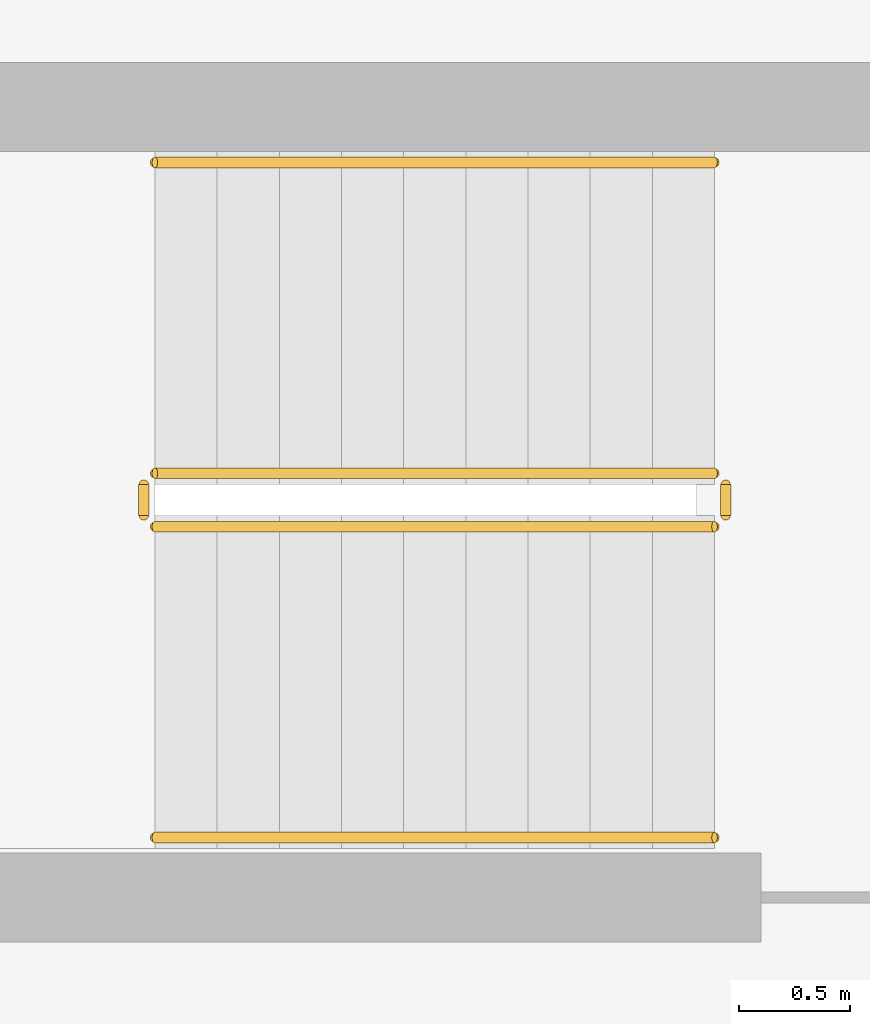
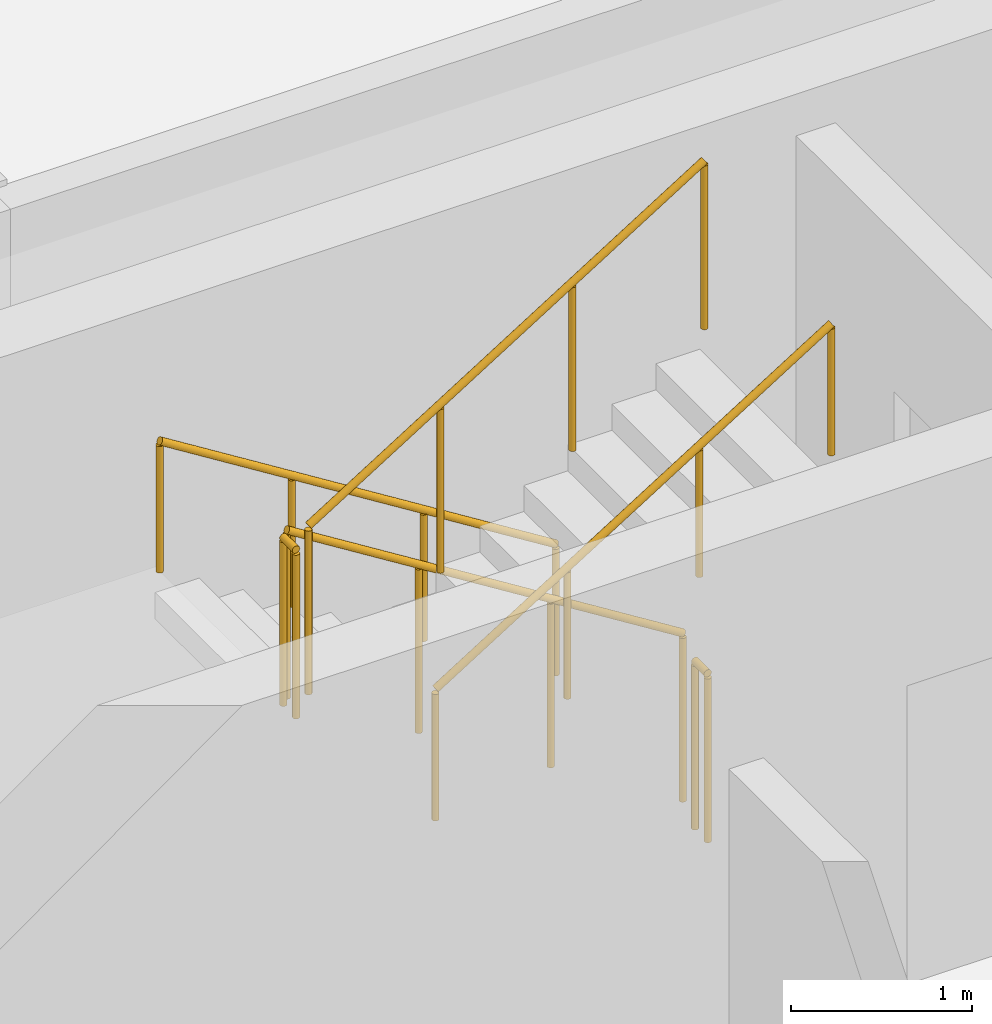
# One storey, part 13 of 14: 6 railings.
"""IFC4 building model written with IfcOpenShell, lengths in metres."""

import ifcopenshell
import ifcopenshell.guid

model = None  # the IFC model being written
_history = None  # IfcOwnerHistory: only IFC2X3 demands one
_inside = {}  # id of a spatial element -> (the spatial element, [elements in it])
_under = {}  # id of a project, library or spatial element -> (it, [spatial elements below it])
_declared = {}  # id of a project -> (the project, [libraries it declares])
_typed = {}  # id of a type object -> (the type object, [elements of that type])
_made_of = {}  # id of a material, layer set ... -> (it, [elements and type objects made of it])


def new_model(schema):
    """Start an empty IFC model of exactly this schema.

    Asked for "IFC4X3", IfcOpenShell would pick the latest addendum, in which some entities
    have other attributes; the version numbers below select the first issue.
    IFC2X3 requires an IfcOwnerHistory on every rooted entity: one is made here for all.
    """
    global model, _history
    if schema == "IFC4X3":
        model = ifcopenshell.file(schema_version=(4, 3, 0, 0))
    else:
        model = ifcopenshell.file(schema=schema)
    _inside.clear()
    _under.clear()
    _declared.clear()
    _typed.clear()
    _made_of.clear()
    _history = None
    if model.schema == "IFC2X3":
        org = make("IfcOrganization", Name="unknown")
        user = make(
            "IfcPersonAndOrganization",
            ThePerson=make("IfcPerson", FamilyName="unknown"),
            TheOrganization=org,
        )
        app = make(
            "IfcApplication",
            ApplicationDeveloper=org,
            Version="unknown",
            ApplicationFullName="unknown",
            ApplicationIdentifier="unknown",
        )
        _history = make(
            "IfcOwnerHistory",
            OwningUser=user,
            OwningApplication=app,
            ChangeAction="ADDED",
            CreationDate=0,
        )
    return model


def make(cls, **values):
    """One entity of the class cls with the attributes given. An attribute that is None is left unset."""
    return model.create_entity(
        cls, **{name: value for name, value in values.items() if value is not None}
    )


def rooted(cls, **values):
    """An entity with a GlobalId (a new one), such as an element, a storey or a relation."""
    return make(cls, GlobalId=ifcopenshell.guid.new(), OwnerHistory=_history, **values)


def si_unit(unit_type, name, prefix=None):
    """IfcSIUnit, for example si_unit("LENGTHUNIT", "METRE", prefix="MILLI")."""
    return make("IfcSIUnit", UnitType=unit_type, Prefix=prefix, Name=name)


def derived_unit(unit_type, elements):
    """IfcDerivedUnit: a product of units, each with its exponent."""
    return make(
        "IfcDerivedUnit",
        Elements=[
            make("IfcDerivedUnitElement", Unit=unit, Exponent=power)
            for unit, power in elements
        ],
        UnitType=unit_type,
    )


def assignment(units):
    """IfcUnitAssignment: the units of a project."""
    return None if units is None else make("IfcUnitAssignment", Units=units)


def point(xyz):
    """IfcCartesianPoint."""
    return None if xyz is None else make("IfcCartesianPoint", Coordinates=xyz)


def direction(xyz):
    """IfcDirection."""
    return None if xyz is None else make("IfcDirection", DirectionRatios=xyz)


def frame(location, z_axis=None, x_axis=None):
    """IfcAxis2Placement3D, a coordinate frame: its origin and axes. An axis left out is left unset."""
    return make(
        "IfcAxis2Placement3D",
        Location=point(location),
        Axis=direction(z_axis),
        RefDirection=direction(x_axis),
    )


def frame_2d(location, x_axis=None):
    """IfcAxis2Placement2D, a coordinate frame in the plane: its origin and x axis."""
    return make(
        "IfcAxis2Placement2D", Location=point(location), RefDirection=direction(x_axis)
    )


def origin():
    """The frame at (0, 0, 0) with its axes left unset."""
    return frame((0.0, 0.0, 0.0))


def origin_2d():
    """The frame at (0, 0) in the plane with its x axis left unset."""
    return frame_2d((0.0, 0.0))


def place(relative_to, where):
    """IfcLocalPlacement: puts the frame where relative to a parent placement (None: the world)."""
    return make(
        "IfcLocalPlacement", PlacementRelTo=relative_to, RelativePlacement=where
    )


def context(
    kind, dimensions, precision=None, world=None, true_north=None, identifier=None
):
    """IfcGeometricRepresentationContext, for example the 3D "Model" context."""
    return make(
        "IfcGeometricRepresentationContext",
        ContextIdentifier=identifier,
        ContextType=kind,
        CoordinateSpaceDimension=dimensions,
        Precision=precision,
        WorldCoordinateSystem=world,
        TrueNorth=true_north,
    )


def subcontext(parent, identifier, kind, view, scale=None):
    """IfcGeometricRepresentationSubContext, for example "Body" below "Model"."""
    return make(
        "IfcGeometricRepresentationSubContext",
        ContextIdentifier=identifier,
        ContextType=kind,
        ParentContext=parent,
        TargetScale=scale,
        TargetView=view,
    )


def project(units=None, contexts=None):
    """IfcProject with its units and contexts."""
    return rooted(
        "IfcProject",
        Name="project",
        RepresentationContexts=contexts,
        UnitsInContext=assignment(units),
    )


def spatial(cls, under=None, at=None, **own):
    """A site, building, storey or space (cls), placed at a placement, below another one or the project."""
    s = rooted(cls, ObjectPlacement=at, **own)
    if under is not None:
        _under.setdefault(under.id(), (under, []))[1].append(s)
    return s


def profile(cls, at=None, kind="AREA", **sizes):
    """A parametric profile (cls). Its sizes go by their IFC names, for example OverallWidth=200.0."""
    return make(cls, ProfileType=kind, Position=at, **sizes)


def circle(**sizes):
    """IfcCircleProfileDef."""
    return profile("IfcCircleProfileDef", **sizes)


def extrude(swept, where, along, depth):
    """IfcExtrudedAreaSolid: the profile swept, set in the frame where, extruded along a direction by depth."""
    return make(
        "IfcExtrudedAreaSolid",
        SweptArea=swept,
        Position=where,
        ExtrudedDirection=direction(along),
        Depth=depth,
    )


def shape(context_of_items, identifier, shape_type, items):
    """IfcShapeRepresentation: the items that make up one representation, for example the "Body"."""
    return make(
        "IfcShapeRepresentation",
        ContextOfItems=context_of_items,
        RepresentationIdentifier=identifier,
        RepresentationType=shape_type,
        Items=items,
    )


def material(Name=None, Category=None):
    """IfcMaterial."""
    return make("IfcMaterial", Name=Name, Category=Category)


def made_of(thing, what):
    """Note that an element or type object is made of a material, layer set ...; save() writes the relation."""
    if what is not None:
        _made_of.setdefault(what.id(), (what, []))[1].append(thing)
    return thing


def type_object(cls, material=None, **own):
    """A type object (cls), such as IfcWallType, which elements share."""
    return made_of(rooted(cls, **own), material)


def element(
    cls,
    number,
    at=None,
    inside=None,
    cuts=None,
    type_object=None,
    material=None,
    context=None,
    identifier="Body",
    shape_type=None,
    held_by="IfcProductDefinitionShape",
    body=None,
    shapes=None,
    **own,
):
    """One element of the class cls, such as IfcWall. Its Tag is "e" and its number.

    at: its placement. inside: the storey or other place that contains it. cuts: it is an
    opening in that element (IfcRelVoidsElement). A single representation is given by context,
    identifier, shape_type and body (its items); several are given by shapes. held_by: the class
    of the entity that holds the representations. save() writes the other relations.
    """
    e = rooted(cls, Tag="e%d" % number, ObjectPlacement=at, **own)
    if body is not None:
        shapes = [shape(context, identifier, shape_type, body)]
    if shapes is not None:
        e.Representation = make(held_by, Representations=shapes)
    if inside is not None:
        _inside.setdefault(inside.id(), (inside, []))[1].append(e)
    if cuts is not None:
        rooted(
            "IfcRelVoidsElement", RelatingBuildingElement=cuts, RelatedOpeningElement=e
        )
    if type_object is not None:
        _typed.setdefault(type_object.id(), (type_object, []))[1].append(e)
    return made_of(e, material)


def aggregate(whole, parts):
    """IfcRelAggregates: a whole, such as a stair, and the parts it consists of."""
    return rooted("IfcRelAggregates", RelatingObject=whole, RelatedObjects=parts)


def save(model, path):
    """Write the relations noted so far, then the file.

    IfcRelAggregates (storeys below a building ...), IfcRelContainedInSpatialStructure (elements
    in a storey), IfcRelDefinesByType, IfcRelAssociatesMaterial and IfcRelDeclares: one each for
    every whole, place, type object, material and project.
    """
    for whole, parts in _under.values():
        aggregate(whole, parts)
    for where, things in _inside.values():
        rooted(
            "IfcRelContainedInSpatialStructure",
            RelatedElements=things,
            RelatingStructure=where,
        )
    for kind, things in _typed.values():
        rooted("IfcRelDefinesByType", RelatedObjects=things, RelatingType=kind)
    for what, things in _made_of.values():
        rooted("IfcRelAssociatesMaterial", RelatedObjects=things, RelatingMaterial=what)
    for by, libraries in _declared.values():
        rooted("IfcRelDeclares", RelatingContext=by, RelatedDefinitions=libraries)
    model.write(path)


model = new_model("IFC4")

# Units and contexts
model_context = context("Model", 3, precision=1e-05, world=origin(), true_north=direction((0.0, 1.0)))
body_context = subcontext(model_context, "Body", "Model", "MODEL_VIEW")
ifc_project = project(units=[si_unit("LENGTHUNIT", "METRE"), si_unit("AREAUNIT", "SQUARE_METRE"), si_unit("VOLUMEUNIT", "CUBIC_METRE"), si_unit("PLANEANGLEUNIT", "RADIAN"), si_unit("MASSUNIT", "GRAM", prefix="KILO"), derived_unit("THERMALTRANSMITTANCEUNIT", [(si_unit("POWERUNIT", "WATT"), 1), (si_unit("LENGTHUNIT", "METRE"), -2), (si_unit("THERMODYNAMICTEMPERATUREUNIT", "KELVIN"), -1)])], contexts=[model_context])

# Site, building, storey
site_placement = place(None, origin())
site = spatial("IfcSite", under=ifc_project, at=site_placement, CompositionType="ELEMENT")
building_placement = place(site_placement, origin())
building = spatial("IfcBuilding", under=site, at=building_placement, Name="Kivonza Crest Hotel", CompositionType="ELEMENT")
storey_placement = place(building_placement, frame((0.0, 0.0, 162.5)))
storey = spatial("IfcBuildingStorey", under=building, at=storey_placement, Name="L44", CompositionType="ELEMENT", Elevation=162.5)

# Railings
ifc_material_1 = material(Name="Brushed stainless steel handrail", Category="steel")
railing_type_1 = type_object("IfcRailingType", Name="RL-HAND-900", PredefinedType="HANDRAIL", material=ifc_material_1)
railing_1_placement = place(storey_placement, frame((12.239990234375, 36.110107421875, 0.175048828125)))
element("IfcRailing", 1, at=railing_1_placement, inside=storey, type_object=railing_type_1, Name="L44 ST-T1-N stair handrail 1", PredefinedType="HANDRAIL", context=body_context, shape_type="SweptSolid", body=[
    extrude(circle(Radius=0.02392578125, at=origin_2d()), frame((0.0, 0.0, 0.8759765625), z_axis=(-0.848007534815, 0.0, 0.529984170421), x_axis=(0.0, -1.0, 0.0)), (0.0, 0.0, 1.0), 2.9716796875),
    extrude(circle(Radius=0.02099609375, at=origin_2d()), origin(), (0.0, 0.0, 1.0), 0.851806640625),
    extrude(circle(Radius=0.02099609375, at=origin_2d()), frame((-0.840087890625, 0.0, 0.52490234375)), (0.0, 0.0, 1.0), 0.851806640625),
    extrude(circle(Radius=0.02099609375, at=origin_2d()), frame((-1.679931640625, 0.0, 1.050048828125)), (0.0, 0.0, 1.0), 0.851806640625),
    extrude(circle(Radius=0.02099609375, at=origin_2d()), frame((-2.52001953125, 0.0, 1.574951171875)), (0.0, 0.0, 1.0), 0.851806640625),
])
railing_2_placement = place(storey_placement, frame((9.719970703125, 33.070068359375, 1.925048828125)))
element("IfcRailing", 2, at=railing_2_placement, inside=storey, type_object=railing_type_1, Name="L44 ST-T1-N stair handrail 2", PredefinedType="HANDRAIL", context=body_context, shape_type="SweptSolid", body=[
    extrude(circle(Radius=0.02392578125, at=origin_2d()), frame((0.0, 0.0, 0.8759765625), z_axis=(0.848007534815, 0.0, 0.529984170421), x_axis=(0.0, 1.0, 0.0)), (0.0, 0.0, 1.0), 2.9716796875),
    extrude(circle(Radius=0.02099609375, at=origin_2d()), origin(), (0.0, 0.0, 1.0), 0.851806640625),
    extrude(circle(Radius=0.02099609375, at=origin_2d()), frame((0.840087890625, 0.0, 0.52490234375)), (0.0, 0.0, 1.0), 0.851806640625),
    extrude(circle(Radius=0.02099609375, at=origin_2d()), frame((1.679931640625, 0.0, 1.050048828125)), (0.0, 0.0, 1.0), 0.851806640625),
    extrude(circle(Radius=0.02099609375, at=origin_2d()), frame((2.52001953125, 0.0, 1.574951171875)), (0.0, 0.0, 1.0), 0.851806640625),
])
ifc_material_2 = material(Name="Painted steel balustrade", Category="steel")
railing_type_2 = type_object("IfcRailingType", Name="RL-STAIR-1150", PredefinedType="BALUSTRADE", material=ifc_material_2)
railing_3_placement = place(storey_placement, frame((12.239990234375, 34.7099609375, 0.175048828125)))
element("IfcRailing", 3, at=railing_3_placement, inside=storey, type_object=railing_type_2, Name="L44 ST-T1-N stair guard 1", PredefinedType="BALUSTRADE", context=body_context, shape_type="SweptSolid", body=[
    extrude(circle(Radius=0.02392578125, at=origin_2d()), frame((0.0, 0.0, 1.1259765625), z_axis=(-0.848007534815, 0.0, 0.529984170421), x_axis=(0.0, -1.0, 0.0)), (0.0, 0.0, 1.0), 2.9716796875),
    extrude(circle(Radius=0.02099609375, at=origin_2d()), origin(), (0.0, 0.0, 1.0), 1.101806640625),
    extrude(circle(Radius=0.02099609375, at=origin_2d()), frame((-0.840087890625, 0.0, 0.52490234375)), (0.0, 0.0, 1.0), 1.101806640625),
    extrude(circle(Radius=0.02099609375, at=origin_2d()), frame((-1.679931640625, 0.0, 1.050048828125)), (0.0, 0.0, 1.0), 1.101806640625),
    extrude(circle(Radius=0.02099609375, at=origin_2d()), frame((-2.52001953125, 0.0, 1.574951171875)), (0.0, 0.0, 1.0), 1.101806640625),
])
railing_4_placement = place(storey_placement, frame((9.669921875, 34.659912109375, 1.75)))
element("IfcRailing", 4, at=railing_4_placement, inside=storey, type_object=railing_type_2, Name="L44 ST-T1-N stair guard 2", PredefinedType="BALUSTRADE", context=body_context, shape_type="SweptSolid", body=[
    extrude(circle(Radius=0.02392578125, at=origin_2d()), frame((0.0, 0.0, 1.1259765625), z_axis=(0.0, -1.0, 0.0), x_axis=(1.0, 0.0, 0.0)), (0.0, 0.0, 1.0), 0.139892578125),
    extrude(circle(Radius=0.02099609375, at=origin_2d()), origin(), (0.0, 0.0, 1.0), 1.101806640625),
    extrude(circle(Radius=0.02099609375, at=origin_2d()), frame((0.0, -0.139892578125, 0.0)), (0.0, 0.0, 1.0), 1.101806640625),
])
railing_5_placement = place(storey_placement, frame((9.719970703125, 34.469970703125, 1.925048828125)))
element("IfcRailing", 5, at=railing_5_placement, inside=storey, type_object=railing_type_2, Name="L44 ST-T1-N stair guard 3", PredefinedType="BALUSTRADE", context=body_context, shape_type="SweptSolid", body=[
    extrude(circle(Radius=0.02392578125, at=origin_2d()), frame((0.0, 0.0, 1.1259765625), z_axis=(0.848007534815, 0.0, 0.529984170421), x_axis=(0.0, 1.0, 0.0)), (0.0, 0.0, 1.0), 2.9716796875),
    extrude(circle(Radius=0.02099609375, at=origin_2d()), origin(), (0.0, 0.0, 1.0), 1.101806640625),
    extrude(circle(Radius=0.02099609375, at=origin_2d()), frame((0.840087890625, 0.0, 0.52490234375)), (0.0, 0.0, 1.0), 1.101806640625),
    extrude(circle(Radius=0.02099609375, at=origin_2d()), frame((1.679931640625, 0.0, 1.050048828125)), (0.0, 0.0, 1.0), 1.101806640625),
    extrude(circle(Radius=0.02099609375, at=origin_2d()), frame((2.52001953125, 0.0, 1.574951171875)), (0.0, 0.0, 1.0), 1.101806640625),
])
railing_6_placement = place(storey_placement, frame((12.2900390625, 34.659912109375, 0.0)))
element("IfcRailing", 6, at=railing_6_placement, inside=storey, type_object=railing_type_2, Name="L44 ST-T1-N stair guard 4", PredefinedType="BALUSTRADE", context=body_context, shape_type="SweptSolid", body=[
    extrude(circle(Radius=0.02392578125, at=origin_2d()), frame((0.0, 0.0, 1.1259765625), z_axis=(0.0, -1.0, 0.0), x_axis=(1.0, 0.0, 0.0)), (0.0, 0.0, 1.0), 0.139892578125),
    extrude(circle(Radius=0.02099609375, at=origin_2d()), origin(), (0.0, 0.0, 1.0), 1.101806640625),
    extrude(circle(Radius=0.02099609375, at=origin_2d()), frame((0.0, -0.139892578125, 0.0)), (0.0, 0.0, 1.0), 1.101806640625),
])

save(model, "model.ifc")
